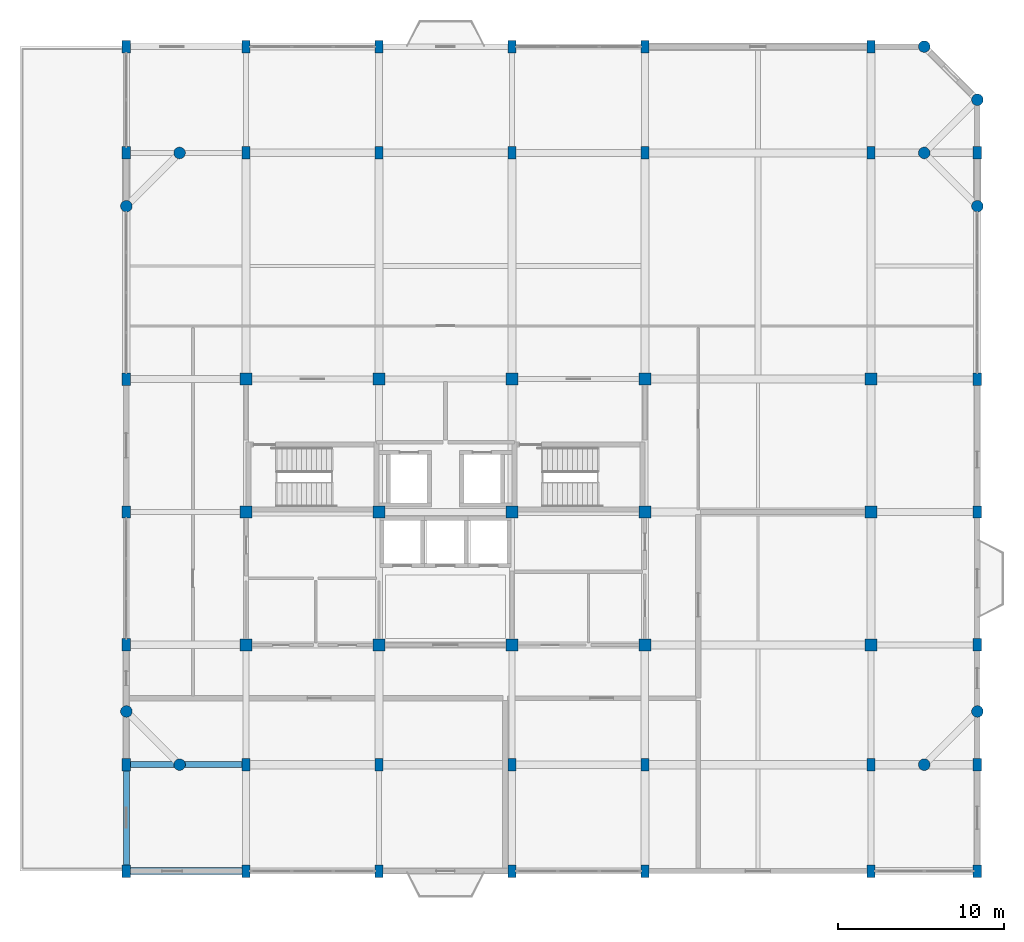
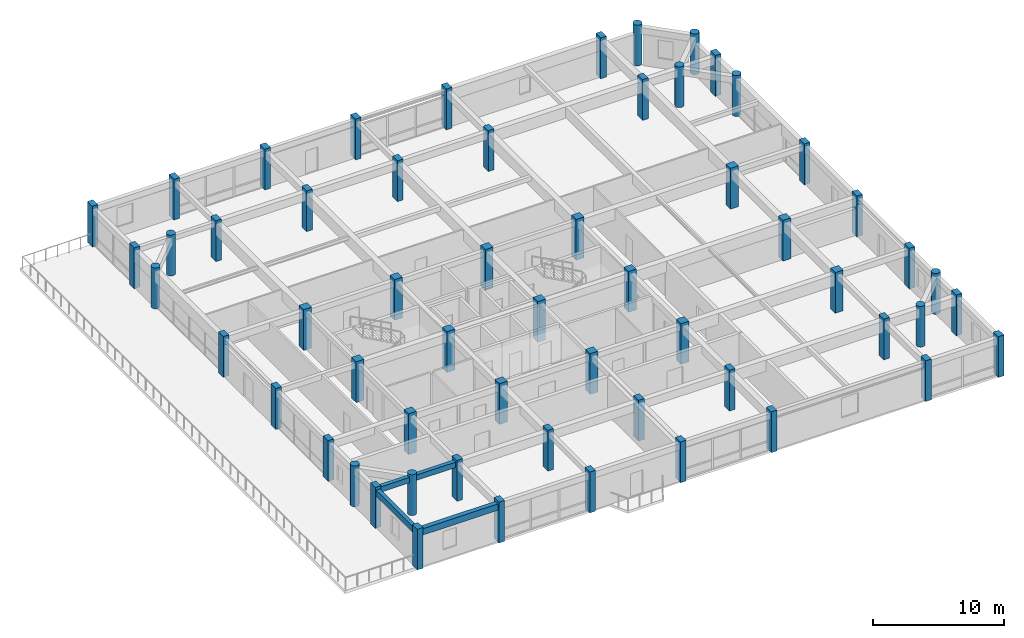
# One storey, part 1 of 13: 58 columns, 3 beams.
"""IFC4 building model written with IfcOpenShell, lengths in metres."""

import ifcopenshell
import ifcopenshell.guid

model = None  # the IFC model being written
_history = None  # IfcOwnerHistory: only IFC2X3 demands one
_inside = {}  # id of a spatial element -> (the spatial element, [elements in it])
_under = {}  # id of a project, library or spatial element -> (it, [spatial elements below it])
_declared = {}  # id of a project -> (the project, [libraries it declares])
_typed = {}  # id of a type object -> (the type object, [elements of that type])
_made_of = {}  # id of a material, layer set ... -> (it, [elements and type objects made of it])


def new_model(schema):
    """Start an empty IFC model of exactly this schema.

    Asked for "IFC4X3", IfcOpenShell would pick the latest addendum, in which some entities
    have other attributes; the version numbers below select the first issue.
    IFC2X3 requires an IfcOwnerHistory on every rooted entity: one is made here for all.
    """
    global model, _history
    if schema == "IFC4X3":
        model = ifcopenshell.file(schema_version=(4, 3, 0, 0))
    else:
        model = ifcopenshell.file(schema=schema)
    _inside.clear()
    _under.clear()
    _declared.clear()
    _typed.clear()
    _made_of.clear()
    _history = None
    if model.schema == "IFC2X3":
        org = make("IfcOrganization", Name="unknown")
        user = make(
            "IfcPersonAndOrganization",
            ThePerson=make("IfcPerson", FamilyName="unknown"),
            TheOrganization=org,
        )
        app = make(
            "IfcApplication",
            ApplicationDeveloper=org,
            Version="unknown",
            ApplicationFullName="unknown",
            ApplicationIdentifier="unknown",
        )
        _history = make(
            "IfcOwnerHistory",
            OwningUser=user,
            OwningApplication=app,
            ChangeAction="ADDED",
            CreationDate=0,
        )
    return model


def make(cls, **values):
    """One entity of the class cls with the attributes given. An attribute that is None is left unset."""
    return model.create_entity(
        cls, **{name: value for name, value in values.items() if value is not None}
    )


def rooted(cls, **values):
    """An entity with a GlobalId (a new one), such as an element, a storey or a relation."""
    return make(cls, GlobalId=ifcopenshell.guid.new(), OwnerHistory=_history, **values)


def si_unit(unit_type, name, prefix=None):
    """IfcSIUnit, for example si_unit("LENGTHUNIT", "METRE", prefix="MILLI")."""
    return make("IfcSIUnit", UnitType=unit_type, Prefix=prefix, Name=name)


def assignment(units):
    """IfcUnitAssignment: the units of a project."""
    return None if units is None else make("IfcUnitAssignment", Units=units)


def point(xyz):
    """IfcCartesianPoint."""
    return None if xyz is None else make("IfcCartesianPoint", Coordinates=xyz)


def direction(xyz):
    """IfcDirection."""
    return None if xyz is None else make("IfcDirection", DirectionRatios=xyz)


def frame(location, z_axis=None, x_axis=None):
    """IfcAxis2Placement3D, a coordinate frame: its origin and axes. An axis left out is left unset."""
    return make(
        "IfcAxis2Placement3D",
        Location=point(location),
        Axis=direction(z_axis),
        RefDirection=direction(x_axis),
    )


def frame_2d(location, x_axis=None):
    """IfcAxis2Placement2D, a coordinate frame in the plane: its origin and x axis."""
    return make(
        "IfcAxis2Placement2D", Location=point(location), RefDirection=direction(x_axis)
    )


def origin():
    """The frame at (0, 0, 0) with its axes left unset."""
    return frame((0.0, 0.0, 0.0))


def origin_2d():
    """The frame at (0, 0) in the plane with its x axis left unset."""
    return frame_2d((0.0, 0.0))


def place(relative_to, where):
    """IfcLocalPlacement: puts the frame where relative to a parent placement (None: the world)."""
    return make(
        "IfcLocalPlacement", PlacementRelTo=relative_to, RelativePlacement=where
    )


def context(
    kind, dimensions, precision=None, world=None, true_north=None, identifier=None
):
    """IfcGeometricRepresentationContext, for example the 3D "Model" context."""
    return make(
        "IfcGeometricRepresentationContext",
        ContextIdentifier=identifier,
        ContextType=kind,
        CoordinateSpaceDimension=dimensions,
        Precision=precision,
        WorldCoordinateSystem=world,
        TrueNorth=true_north,
    )


def subcontext(parent, identifier, kind, view, scale=None):
    """IfcGeometricRepresentationSubContext, for example "Body" below "Model"."""
    return make(
        "IfcGeometricRepresentationSubContext",
        ContextIdentifier=identifier,
        ContextType=kind,
        ParentContext=parent,
        TargetScale=scale,
        TargetView=view,
    )


def project(units=None, contexts=None):
    """IfcProject with its units and contexts."""
    return rooted(
        "IfcProject",
        Name="project",
        RepresentationContexts=contexts,
        UnitsInContext=assignment(units),
    )


def spatial(cls, under=None, at=None, **own):
    """A site, building, storey or space (cls), placed at a placement, below another one or the project."""
    s = rooted(cls, ObjectPlacement=at, **own)
    if under is not None:
        _under.setdefault(under.id(), (under, []))[1].append(s)
    return s


def profile(cls, at=None, kind="AREA", **sizes):
    """A parametric profile (cls). Its sizes go by their IFC names, for example OverallWidth=200.0."""
    return make(cls, ProfileType=kind, Position=at, **sizes)


def rectangle(**sizes):
    """IfcRectangleProfileDef."""
    return profile("IfcRectangleProfileDef", **sizes)


def circle(**sizes):
    """IfcCircleProfileDef."""
    return profile("IfcCircleProfileDef", **sizes)


def extrude(swept, where, along, depth):
    """IfcExtrudedAreaSolid: the profile swept, set in the frame where, extruded along a direction by depth."""
    return make(
        "IfcExtrudedAreaSolid",
        SweptArea=swept,
        Position=where,
        ExtrudedDirection=direction(along),
        Depth=depth,
    )


def shape(context_of_items, identifier, shape_type, items):
    """IfcShapeRepresentation: the items that make up one representation, for example the "Body"."""
    return make(
        "IfcShapeRepresentation",
        ContextOfItems=context_of_items,
        RepresentationIdentifier=identifier,
        RepresentationType=shape_type,
        Items=items,
    )


def material(Name=None, Category=None):
    """IfcMaterial."""
    return make("IfcMaterial", Name=Name, Category=Category)


def material_profile(
    of_material, cross_section, Name=None, Category=None, Priority=None
):
    """IfcMaterialProfile: a cross section and its material."""
    return make(
        "IfcMaterialProfile",
        Name=Name,
        Material=of_material,
        Profile=cross_section,
        Priority=Priority,
        Category=Category,
    )


def profile_set(profiles, Name=None, composite=None):
    """IfcMaterialProfileSet."""
    return make(
        "IfcMaterialProfileSet",
        Name=Name,
        MaterialProfiles=profiles,
        CompositeProfile=composite,
    )


def made_of(thing, what):
    """Note that an element or type object is made of a material, layer set ...; save() writes the relation."""
    if what is not None:
        _made_of.setdefault(what.id(), (what, []))[1].append(thing)
    return thing


def type_object(cls, material=None, **own):
    """A type object (cls), such as IfcWallType, which elements share."""
    return made_of(rooted(cls, **own), material)


def element(
    cls,
    number,
    at=None,
    inside=None,
    cuts=None,
    type_object=None,
    material=None,
    context=None,
    identifier="Body",
    shape_type=None,
    held_by="IfcProductDefinitionShape",
    body=None,
    shapes=None,
    **own,
):
    """One element of the class cls, such as IfcWall. Its Tag is "e" and its number.

    at: its placement. inside: the storey or other place that contains it. cuts: it is an
    opening in that element (IfcRelVoidsElement). A single representation is given by context,
    identifier, shape_type and body (its items); several are given by shapes. held_by: the class
    of the entity that holds the representations. save() writes the other relations.
    """
    e = rooted(cls, Tag="e%d" % number, ObjectPlacement=at, **own)
    if body is not None:
        shapes = [shape(context, identifier, shape_type, body)]
    if shapes is not None:
        e.Representation = make(held_by, Representations=shapes)
    if inside is not None:
        _inside.setdefault(inside.id(), (inside, []))[1].append(e)
    if cuts is not None:
        rooted(
            "IfcRelVoidsElement", RelatingBuildingElement=cuts, RelatedOpeningElement=e
        )
    if type_object is not None:
        _typed.setdefault(type_object.id(), (type_object, []))[1].append(e)
    return made_of(e, material)


def aggregate(whole, parts):
    """IfcRelAggregates: a whole, such as a stair, and the parts it consists of."""
    return rooted("IfcRelAggregates", RelatingObject=whole, RelatedObjects=parts)


def save(model, path):
    """Write the relations noted so far, then the file.

    IfcRelAggregates (storeys below a building ...), IfcRelContainedInSpatialStructure (elements
    in a storey), IfcRelDefinesByType, IfcRelAssociatesMaterial and IfcRelDeclares: one each for
    every whole, place, type object, material and project.
    """
    for whole, parts in _under.values():
        aggregate(whole, parts)
    for where, things in _inside.values():
        rooted(
            "IfcRelContainedInSpatialStructure",
            RelatedElements=things,
            RelatingStructure=where,
        )
    for kind, things in _typed.values():
        rooted("IfcRelDefinesByType", RelatedObjects=things, RelatingType=kind)
    for what, things in _made_of.values():
        rooted("IfcRelAssociatesMaterial", RelatedObjects=things, RelatingMaterial=what)
    for by, libraries in _declared.values():
        rooted("IfcRelDeclares", RelatingContext=by, RelatedDefinitions=libraries)
    model.write(path)


model = new_model("IFC4")

# Units and contexts
model_context = context("Model", 3, precision=1e-05, world=origin(), true_north=direction((0.0, 1.0)))
body_context = subcontext(model_context, "Body", "Model", "MODEL_VIEW")
ifc_project = project(units=[si_unit("LENGTHUNIT", "METRE"), si_unit("AREAUNIT", "SQUARE_METRE"), si_unit("VOLUMEUNIT", "CUBIC_METRE"), si_unit("PLANEANGLEUNIT", "RADIAN"), si_unit("MASSUNIT", "GRAM", prefix="KILO")], contexts=[model_context])

# Site, building, storey
site_placement = place(None, origin())
site = spatial("IfcSite", under=ifc_project, at=site_placement, CompositionType="ELEMENT")
building_placement = place(site_placement, origin())
building = spatial("IfcBuilding", under=site, at=building_placement, Name="Vellmiral Cinema and Media Centre", CompositionType="ELEMENT")
storey_placement = place(building_placement, frame((0.0, 0.0, 39.5)))
storey = spatial("IfcBuildingStorey", under=building, at=storey_placement, Name="L09", CompositionType="ELEMENT", Elevation=39.5)

# Columns
ifc_material_1 = material(Name="Concrete C40/50", Category="concrete")
ifc_material_profile_1 = material_profile(ifc_material_1, rectangle(XDim=0.5, YDim=0.75, at=origin_2d()), Name="RC 500x750")
ifc_profile_set_1 = profile_set([ifc_material_profile_1], Name="Concrete C40/50")
column_type_1 = type_object("IfcColumnType", Name="COL-RC-500x750", PredefinedType="COLUMN", material=ifc_profile_set_1)
for number, where, z_axis, x_axis, name in (
    (1, (116.800048828125, 65.60009765625, 0.0), (0.0, 0.0, 1.0), (1.0, 0.0, 0.0), "Column L09-001"),
    (2, (116.800048828125, 72.0, 0.0), (0.0, 0.0, 1.0), (1.0, 0.0, 0.0), "Column L09-002"),
    (3, (116.800048828125, 79.199951171875, 0.0), (0.0, 0.0, 1.0), (1.0, 0.0, 0.0), "Column L09-004"),
    (4, (116.800048828125, 87.199951171875, 0.0), (0.0, 0.0, 1.0), (1.0, 0.0, 0.0), "Column L09-005"),
    (5, (116.800048828125, 95.199951171875, 0.0), (0.0, 0.0, 1.0), (1.0, 0.0, 0.0), "Column L09-006"),
    (6, (116.800048828125, 108.800048828125, 0.0), (0.0, 0.0, 1.0), (1.0, 0.0, 0.0), "Column L09-008"),
    (7, (116.800048828125, 115.199951171875, 0.0), (0.0, 0.0, 1.0), (1.0, 0.0, 0.0), "Column L09-009"),
    (8, (124.0, 65.60009765625, 0.0), (0.0, 0.0, 1.0), (1.0, 0.0, 0.0), "Column L09-012"),
    (9, (124.0, 72.0, 0.0), (0.0, 0.0, 1.0), (1.0, 0.0, 0.0), "Column L09-013"),
    (10, (124.0, 108.800048828125, 0.0), (0.0, 0.0, 1.0), (1.0, 0.0, 0.0), "Column L09-017"),
    (11, (124.0, 115.199951171875, 0.0), (0.0, 0.0, 1.0), (1.0, 0.0, 0.0), "Column L09-018"),
    (12, (132.0, 65.60009765625, 0.0), (0.0, 0.0, 1.0), (1.0, 0.0, 0.0), "Column L09-019"),
    (13, (132.0, 72.0, 0.0), (0.0, 0.0, 1.0), (1.0, 0.0, 0.0), "Column L09-020"),
    (14, (132.0, 108.800048828125, 0.0), (0.0, 0.0, 1.0), (1.0, 0.0, 0.0), "Column L09-024"),
    (15, (132.0, 115.199951171875, 0.0), (0.0, 0.0, 1.0), (1.0, 0.0, 0.0), "Column L09-025"),
    (16, (140.0, 65.60009765625, 0.0), (0.0, 0.0, 1.0), (1.0, 0.0, 0.0), "Column L09-026"),
    (17, (140.0, 72.0, 0.0), (0.0, 0.0, 1.0), (1.0, 0.0, 0.0), "Column L09-027"),
    (18, (140.0, 108.800048828125, 0.0), (0.0, 0.0, 1.0), (1.0, 0.0, 0.0), "Column L09-031"),
    (19, (140.0, 115.199951171875, 0.0), (0.0, 0.0, 1.0), (1.0, 0.0, 0.0), "Column L09-032"),
    (20, (148.0, 65.60009765625, 0.0), (0.0, 0.0, 1.0), (1.0, 0.0, 0.0), "Column L09-033"),
    (21, (148.0, 72.0, 0.0), (0.0, 0.0, 1.0), (1.0, 0.0, 0.0), "Column L09-034"),
    (22, (148.0, 108.800048828125, 0.0), (0.0, 0.0, 1.0), (1.0, 0.0, 0.0), "Column L09-038"),
    (23, (148.0, 115.199951171875, 0.0), (0.0, 0.0, 1.0), (1.0, 0.0, 0.0), "Column L09-039"),
    (24, (161.60009765625, 65.60009765625, 0.0), (0.0, 0.0, 1.0), (1.0, 0.0, 0.0), "Column L09-040"),
    (25, (161.60009765625, 72.0, 0.0), (0.0, 0.0, 1.0), (1.0, 0.0, 0.0), "Column L09-041"),
    (26, (161.60009765625, 108.800048828125, 0.0), (0.0, 0.0, 1.0), (1.0, 0.0, 0.0), "Column L09-045"),
    (27, (161.60009765625, 115.199951171875, 0.0), (0.0, 0.0, 1.0), (1.0, 0.0, 0.0), "Column L09-046"),
    (28, (168.0, 65.60009765625, 0.0), (0.0, 0.0, 1.0), (1.0, 0.0, 0.0), "Column L09-050"),
    (29, (168.0, 72.0, 0.0), (0.0, 0.0, 1.0), (1.0, 0.0, 0.0), "Column L09-051"),
    (30, (168.0, 79.199951171875, 0.0), (0.0, 0.0, 1.0), (1.0, 0.0, 0.0), "Column L09-053"),
    (31, (168.0, 87.199951171875, 0.0), (0.0, 0.0, 1.0), (1.0, 0.0, 0.0), "Column L09-054"),
    (32, (168.0, 95.199951171875, 0.0), (0.0, 0.0, 1.0), (1.0, 0.0, 0.0), "Column L09-055"),
    (33, (168.0, 108.800048828125, 0.0), (0.0, 0.0, 1.0), (1.0, 0.0, 0.0), "Column L09-057"),
):
    element("IfcColumn", number, at=place(storey_placement, frame(where, z_axis=z_axis, x_axis=x_axis)), inside=storey, type_object=column_type_1, Name=name, PredefinedType="COLUMN", context=body_context, shape_type="SweptSolid", body=[
        extrude(rectangle(XDim=0.5, YDim=0.75, at=origin_2d()), origin(), (0.0, 0.0, 1.0), 3.800048828125),
    ])
ifc_material_2 = material(Name="Concrete C40/50", Category="concrete")
ifc_material_profile_2 = material_profile(ifc_material_2, rectangle(XDim=0.699951171875, YDim=0.699951171875, at=origin_2d()), Name="RC 700x700")
ifc_profile_set_2 = profile_set([ifc_material_profile_2], Name="Concrete C40/50")
column_type_2 = type_object("IfcColumnType", Name="COL-RC-700x700", PredefinedType="COLUMN", material=ifc_profile_set_2)
for number, where, z_axis, x_axis, name in (
    (34, (124.0, 79.199951171875, 0.0), (0.0, 0.0, 1.0), (1.0, 0.0, 0.0), "Column L09-014"),
    (35, (124.0, 87.199951171875, 0.0), (0.0, 0.0, 1.0), (1.0, 0.0, 0.0), "Column L09-015"),
    (36, (124.0, 95.199951171875, 0.0), (0.0, 0.0, 1.0), (1.0, 0.0, 0.0), "Column L09-016"),
    (37, (132.0, 79.199951171875, 0.0), (0.0, 0.0, 1.0), (1.0, 0.0, 0.0), "Column L09-021"),
    (38, (132.0, 87.199951171875, 0.0), (0.0, 0.0, 1.0), (1.0, 0.0, 0.0), "Column L09-022"),
    (39, (132.0, 95.199951171875, 0.0), (0.0, 0.0, 1.0), (1.0, 0.0, 0.0), "Column L09-023"),
    (40, (140.0, 79.199951171875, 0.0), (0.0, 0.0, 1.0), (1.0, 0.0, 0.0), "Column L09-028"),
    (41, (140.0, 87.199951171875, 0.0), (0.0, 0.0, 1.0), (1.0, 0.0, 0.0), "Column L09-029"),
    (42, (140.0, 95.199951171875, 0.0), (0.0, 0.0, 1.0), (1.0, 0.0, 0.0), "Column L09-030"),
    (43, (148.0, 79.199951171875, 0.0), (0.0, 0.0, 1.0), (1.0, 0.0, 0.0), "Column L09-035"),
    (44, (148.0, 87.199951171875, 0.0), (0.0, 0.0, 1.0), (1.0, 0.0, 0.0), "Column L09-036"),
    (45, (148.0, 95.199951171875, 0.0), (0.0, 0.0, 1.0), (1.0, 0.0, 0.0), "Column L09-037"),
    (46, (161.60009765625, 79.199951171875, 0.0), (0.0, 0.0, 1.0), (1.0, 0.0, 0.0), "Column L09-042"),
    (47, (161.60009765625, 87.199951171875, 0.0), (0.0, 0.0, 1.0), (1.0, 0.0, 0.0), "Column L09-043"),
    (48, (161.60009765625, 95.199951171875, 0.0), (0.0, 0.0, 1.0), (1.0, 0.0, 0.0), "Column L09-044"),
):
    element("IfcColumn", number, at=place(storey_placement, frame(where, z_axis=z_axis, x_axis=x_axis)), inside=storey, type_object=column_type_2, Name=name, PredefinedType="COLUMN", context=body_context, shape_type="SweptSolid", body=[
        extrude(rectangle(XDim=0.699951171875, YDim=0.699951171875, at=origin_2d()), origin(), (0.0, 0.0, 1.0), 3.800048828125),
    ])
ifc_material_3 = material(Name="Concrete C40/50", Category="concrete")
ifc_material_profile_3 = material_profile(ifc_material_3, circle(Radius=0.35009765625, at=origin_2d()), Name="RC D700")
ifc_profile_set_3 = profile_set([ifc_material_profile_3], Name="Concrete C40/50")
column_type_3 = type_object("IfcColumnType", Name="COL-RCC-D700", PredefinedType="COLUMN", material=ifc_profile_set_3)
for number, where, z_axis, x_axis, name in (
    (49, (116.800048828125, 75.199951171875, 0.0), (0.0, 0.0, 1.0), (1.0, 0.0, 0.0), "Column L09-003"),
    (50, (116.800048828125, 105.60009765625, 0.0), (0.0, 0.0, 1.0), (1.0, 0.0, 0.0), "Column L09-007"),
    (51, (120.0, 72.0, 0.0), (0.0, 0.0, 1.0), (1.0, 0.0, 0.0), "Column L09-010"),
    (52, (120.0, 108.800048828125, 0.0), (0.0, 0.0, 1.0), (1.0, 0.0, 0.0), "Column L09-011"),
    (53, (164.800048828125, 72.0, 0.0), (0.0, 0.0, 1.0), (1.0, 0.0, 0.0), "Column L09-047"),
    (54, (164.800048828125, 108.800048828125, 0.0), (0.0, 0.0, 1.0), (1.0, 0.0, 0.0), "Column L09-048"),
    (55, (164.800048828125, 115.199951171875, 0.0), (0.0, 0.0, 1.0), (1.0, 0.0, 0.0), "Column L09-049"),
    (56, (168.0, 75.199951171875, 0.0), (0.0, 0.0, 1.0), (1.0, 0.0, 0.0), "Column L09-052"),
    (57, (168.0, 105.60009765625, 0.0), (0.0, 0.0, 1.0), (1.0, 0.0, 0.0), "Column L09-056"),
    (58, (168.0, 112.0, 0.0), (0.0, 0.0, 1.0), (1.0, 0.0, 0.0), "Column L09-058"),
):
    element("IfcColumn", number, at=place(storey_placement, frame(where, z_axis=z_axis, x_axis=x_axis)), inside=storey, type_object=column_type_3, Name=name, PredefinedType="COLUMN", context=body_context, shape_type="SweptSolid", body=[
        extrude(circle(Radius=0.35009765625, at=origin_2d()), origin(), (0.0, 0.0, 1.0), 3.800048828125),
    ])

# Beams
ifc_material_4 = material(Name="Concrete C40/50", Category="concrete")
ifc_material_profile_4 = material_profile(ifc_material_4, rectangle(XDim=0.35009765625, YDim=0.5, at=origin_2d()), Name="RC 350x500")
ifc_profile_set_4 = profile_set([ifc_material_profile_4], Name="Concrete C40/50")
beam_type_1 = type_object("IfcBeamType", Name="BM-RC-350x500", PredefinedType="BEAM", material=ifc_profile_set_4)
beam_1_placement = place(storey_placement, frame((116.800048828125, 72.0, 3.284912109375), z_axis=(1.0, 0.0, 0.0), x_axis=(0.0, 1.0, 0.0)))
element("IfcBeam", 59, at=beam_1_placement, inside=storey, type_object=beam_type_1, Name="Grid Beam L09-X007", PredefinedType="BEAM", context=body_context, shape_type="SweptSolid", body=[
    extrude(rectangle(XDim=0.35009765625, YDim=0.5, at=origin_2d()), origin(), (0.0, 0.0, 1.0), 7.199951171875),
])
ifc_material_5 = material(Name="Concrete C40/50", Category="concrete")
ifc_material_profile_5 = material_profile(ifc_material_5, rectangle(XDim=0.35009765625, YDim=0.56005859375, at=origin_2d()), Name="RC 350x560")
ifc_profile_set_5 = profile_set([ifc_material_profile_5], Name="Concrete C40/50")
beam_type_2 = type_object("IfcBeamType", Name="SPD-RC-350x560", PredefinedType="SPANDREL", material=ifc_profile_set_5)
beam_2_placement = place(storey_placement, frame((116.800048828125, 65.60009765625, 3.2548828125), z_axis=(0.0, 1.0, 0.0), x_axis=(-1.0, 0.0, 0.0)))
element("IfcBeam", 60, at=beam_2_placement, inside=storey, type_object=beam_type_2, Name="Grid Beam L09-Y042", PredefinedType="SPANDREL", context=body_context, shape_type="SweptSolid", body=[
    extrude(rectangle(XDim=0.35009765625, YDim=0.56005859375, at=origin_2d()), origin(), (0.0, 0.0, 1.0), 6.39990234375),
])
ifc_material_6 = material(Name="Concrete C40/50", Category="concrete")
ifc_material_profile_6 = material_profile(ifc_material_6, rectangle(XDim=0.39990234375, YDim=0.60009765625, at=origin_2d()), Name="RC 400x600")
ifc_profile_set_6 = profile_set([ifc_material_profile_6], Name="Concrete C40/50")
beam_type_3 = type_object("IfcBeamType", Name="SPD-RC-400x600", PredefinedType="SPANDREL", material=ifc_profile_set_6)
beam_3_placement = place(storey_placement, frame((116.800048828125, 65.60009765625, 3.235107421875), z_axis=(1.0, 0.0, 0.0), x_axis=(0.0, 1.0, 0.0)))
element("IfcBeam", 61, at=beam_3_placement, inside=storey, type_object=beam_type_3, Name="Grid Beam L09-X001", PredefinedType="SPANDREL", context=body_context, shape_type="SweptSolid", body=[
    extrude(rectangle(XDim=0.39990234375, YDim=0.60009765625, at=origin_2d()), origin(), (0.0, 0.0, 1.0), 7.199951171875),
])

save(model, "model.ifc")
